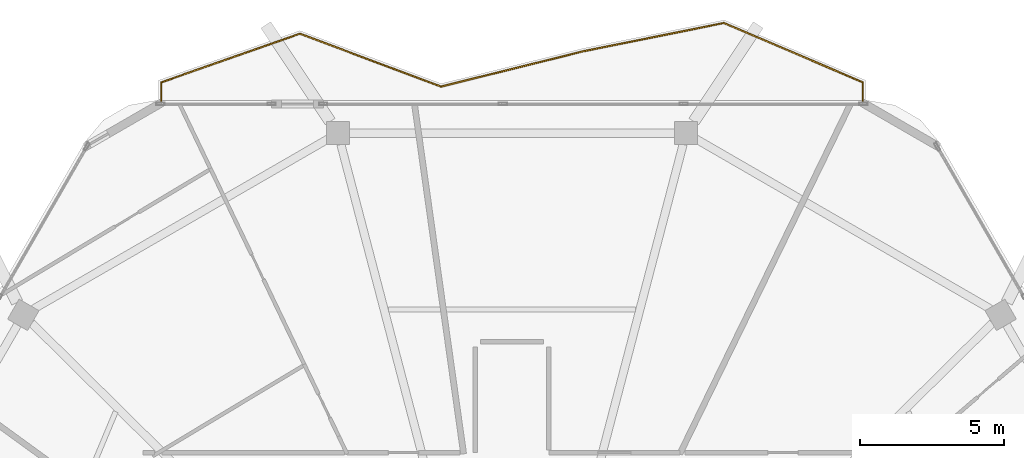
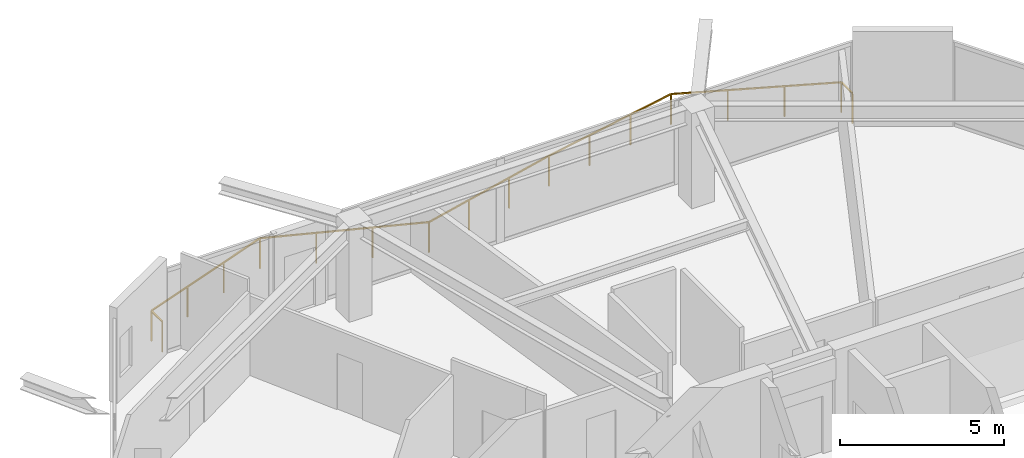
# One storey, part 20 of 20: 1 railing.
"""IFC4 building model written with IfcOpenShell, lengths in metres."""

from ifc_helpers import new_model, si_unit, direction, frame, origin, origin_2d, place, context, subcontext, project, spatial, rectangle, extrude, material, type_object, element, save


model = new_model("IFC4")

# Units and contexts
model_context = context("Model", 3, precision=1e-05, world=origin(), true_north=direction((0.0, 1.0)))
body_context = subcontext(model_context, "Body", "Model", "MODEL_VIEW")
ifc_project = project(units=[si_unit("LENGTHUNIT", "METRE"), si_unit("AREAUNIT", "SQUARE_METRE"), si_unit("VOLUMEUNIT", "CUBIC_METRE"), si_unit("PLANEANGLEUNIT", "RADIAN"), si_unit("MASSUNIT", "GRAM", prefix="KILO")], contexts=[model_context])

# Site, building, storey
site_placement = place(None, origin())
site = spatial("IfcSite", under=ifc_project, at=site_placement, CompositionType="ELEMENT")
building_placement = place(site_placement, origin())
building = spatial("IfcBuilding", under=site, at=building_placement, Name="Zuhravey Tower", CompositionType="ELEMENT")
storey_placement = place(building_placement, frame((0.0, 0.0, 312.0)))
storey = spatial("IfcBuildingStorey", under=building, at=storey_placement, Name="L79", CompositionType="ELEMENT", Elevation=312.0)

# Railing
ifc_material = material(Name="Stainless steel 316 and laminated glass", Category="steel")
railing_type = type_object("IfcRailingType", Name="Balcony & Terrace Guardrail 1150", PredefinedType="BALUSTRADE", material=ifc_material)
railing_placement = place(storey_placement, frame((23.831787109375, 56.1591796875, 0.0)))
element("IfcRailing", 1, at=railing_placement, inside=storey, type_object=railing_type, Name="L79 Face 2 Wave Balcony Guardrail GR1", PredefinedType="BALUSTRADE", context=body_context, shape_type="SweptSolid", body=[
    extrude(rectangle(XDim=0.048095703125, YDim=0.048095703125, at=origin_2d()), frame((0.0, 0.001953125, 1.1259765625), z_axis=(0.0, 1.0, 0.0), x_axis=(-1.0, 0.0, 0.0)), (0.0, 0.0, 1.0), 0.6650390625),
    extrude(rectangle(XDim=0.048095703125, YDim=0.048095703125, at=origin_2d()), frame((0.001953125, 0.669677734375, 1.1259765625), z_axis=(0.943440694039, 0.331541335028, 0.0), x_axis=(-0.331541335028, 0.943440694039, 0.0)), (0.0, 0.0, 1.0), 5.09033203125),
    extrude(rectangle(XDim=0.048095703125, YDim=0.048095703125, at=origin_2d()), frame((4.80810546875, 2.357177734375, 1.1259765625), z_axis=(0.936513049823, -0.35063272453, 0.0), x_axis=(0.35063272453, 0.936513049823, 0.0)), (0.0, 0.0, 1.0), 5.230712890625),
    extrude(rectangle(XDim=0.048095703125, YDim=0.048095703125, at=origin_2d()), frame((9.71044921875, 0.52294921875, 1.1259765625), z_axis=(0.970511326797, 0.241055521734, 0.0), x_axis=(-0.241055521734, 0.970511326797, 0.0)), (0.0, 0.0, 1.0), 5.081298828125),
    extrude(rectangle(XDim=0.048095703125, YDim=0.048095703125, at=origin_2d()), frame((14.645751953125, 1.748779296875, 1.1259765625), z_axis=(0.980364792709, 0.197192477588, 0.0), x_axis=(-0.197192477588, 0.980364792709, 0.0)), (0.0, 0.0, 1.0), 4.96826171875),
    extrude(rectangle(XDim=0.048095703125, YDim=0.048095703125, at=origin_2d()), frame((19.520263671875, 2.72802734375, 1.1259765625), z_axis=(0.919833117153, -0.392309873173, 0.0), x_axis=(0.392309873173, 0.919833117153, 0.0)), (0.0, 0.0, 1.0), 5.234130859375),
    extrude(rectangle(XDim=0.048095703125, YDim=0.048095703125, at=origin_2d()), frame((24.33642578125, 0.671875, 1.1259765625), z_axis=(0.0, -1.0, 0.0), x_axis=(1.0, 0.0, 0.0)), (0.0, 0.0, 1.0), 0.669921875),
    extrude(rectangle(XDim=0.0419921875, YDim=0.0419921875, at=origin_2d()), origin(), (0.0, 0.0, 1.0), 1.099853515625),
    extrude(rectangle(XDim=0.0419921875, YDim=0.0419921875, at=origin_2d()), frame((0.0, 0.6689453125, 0.0)), (0.0, 0.0, 1.0), 1.099853515625),
    extrude(rectangle(XDim=0.0419921875, YDim=0.0419921875, at=origin_2d()), frame((1.60205078125, 1.23193359375, 0.0)), (0.0, 0.0, 1.0), 1.099853515625),
    extrude(rectangle(XDim=0.0419921875, YDim=0.0419921875, at=origin_2d()), frame((3.2041015625, 1.794921875, 0.0)), (0.0, 0.0, 1.0), 1.099853515625),
    extrude(rectangle(XDim=0.0419921875, YDim=0.0419921875, at=origin_2d()), frame((4.80615234375, 2.35791015625, 0.0)), (0.0, 0.0, 1.0), 1.099853515625),
    extrude(rectangle(XDim=0.0419921875, YDim=0.0419921875, at=origin_2d()), frame((6.440185546875, 1.74609375, 0.0)), (0.0, 0.0, 1.0), 1.099853515625),
    extrude(rectangle(XDim=0.0419921875, YDim=0.0419921875, at=origin_2d()), frame((8.074462890625, 1.13427734375, 0.0)), (0.0, 0.0, 1.0), 1.099853515625),
    extrude(rectangle(XDim=0.0419921875, YDim=0.0419921875, at=origin_2d()), frame((9.70849609375, 0.5224609375, 0.0)), (0.0, 0.0, 1.0), 1.099853515625),
    extrude(rectangle(XDim=0.0419921875, YDim=0.0419921875, at=origin_2d()), frame((11.353515625, 0.93115234375, 0.0)), (0.0, 0.0, 1.0), 1.099853515625),
    extrude(rectangle(XDim=0.0419921875, YDim=0.0419921875, at=origin_2d()), frame((12.998779296875, 1.339599609375, 0.0)), (0.0, 0.0, 1.0), 1.099853515625),
    extrude(rectangle(XDim=0.0419921875, YDim=0.0419921875, at=origin_2d()), frame((14.643798828125, 1.748291015625, 0.0)), (0.0, 0.0, 1.0), 1.099853515625),
    extrude(rectangle(XDim=0.0419921875, YDim=0.0419921875, at=origin_2d()), frame((16.2685546875, 2.0751953125, 0.0)), (0.0, 0.0, 1.0), 1.099853515625),
    extrude(rectangle(XDim=0.0419921875, YDim=0.0419921875, at=origin_2d()), frame((17.8935546875, 2.40185546875, 0.0)), (0.0, 0.0, 1.0), 1.099853515625),
    extrude(rectangle(XDim=0.0419921875, YDim=0.0419921875, at=origin_2d()), frame((19.518310546875, 2.728759765625, 0.0)), (0.0, 0.0, 1.0), 1.099853515625),
    extrude(rectangle(XDim=0.0419921875, YDim=0.0419921875, at=origin_2d()), frame((21.124267578125, 2.043701171875, 0.0)), (0.0, 0.0, 1.0), 1.099853515625),
    extrude(rectangle(XDim=0.0419921875, YDim=0.0419921875, at=origin_2d()), frame((22.73046875, 1.35888671875, 0.0)), (0.0, 0.0, 1.0), 1.099853515625),
    extrude(rectangle(XDim=0.0419921875, YDim=0.0419921875, at=origin_2d()), frame((24.33642578125, 0.673828125, 0.0)), (0.0, 0.0, 1.0), 1.099853515625),
    extrude(rectangle(XDim=0.0419921875, YDim=0.0419921875, at=origin_2d()), frame((24.33642578125, 0.0, 0.0)), (0.0, 0.0, 1.0), 1.099853515625),
])

save(model, "model.ifc")
